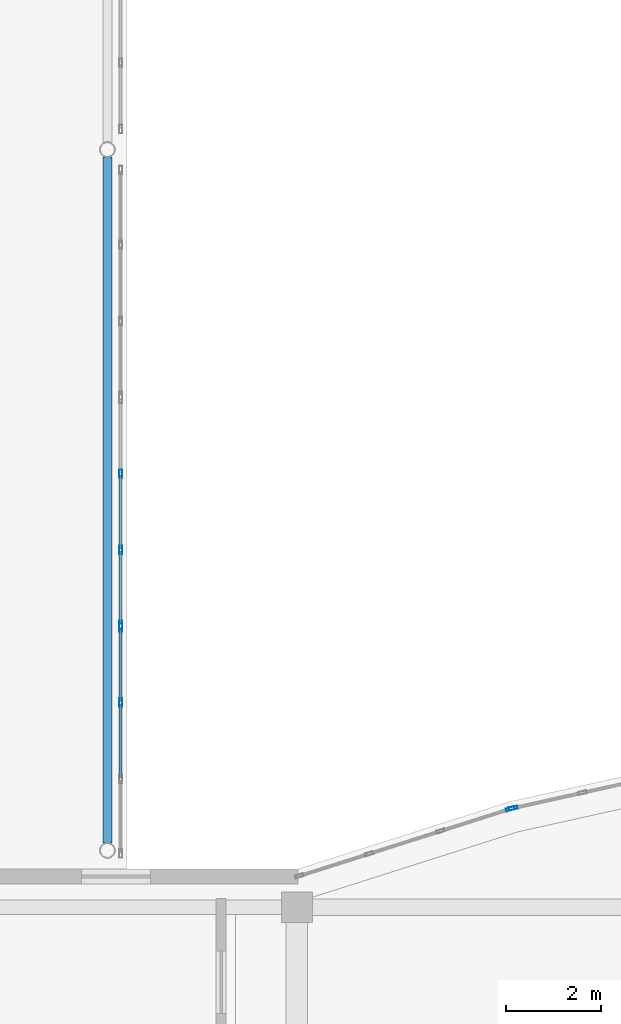
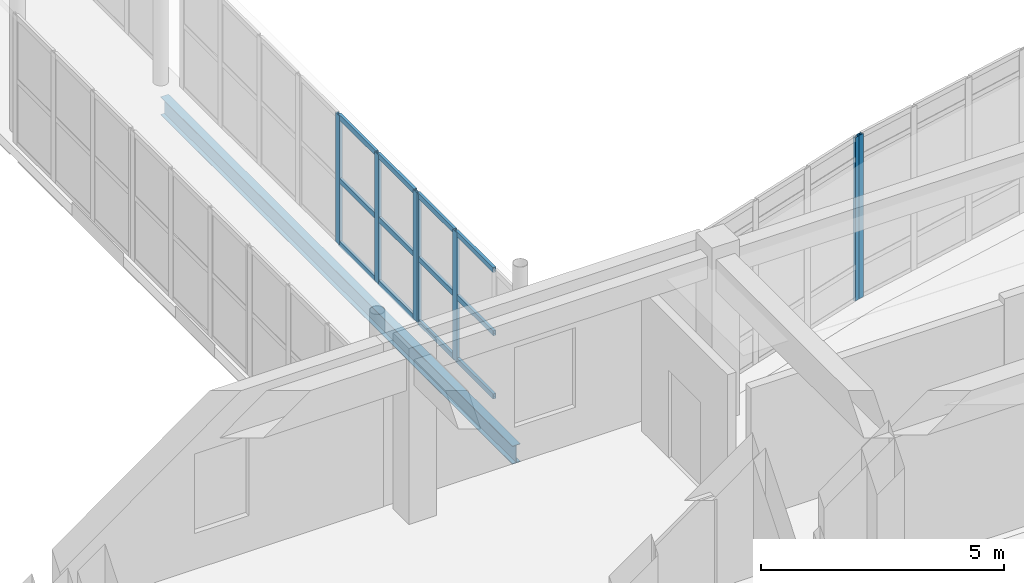
# One storey, part 44 of 142: 19 members, 1 beam, 4 elements without a shape of their own.
"""IFC4 building model written with IfcOpenShell, lengths in metres."""

from ifc_helpers import new_model, si_unit, direction, frame, origin, origin_2d, place, context, subcontext, project, spatial, hollow_rectangle, i_section, extrude, material, layer, layer_set, material_profile, profile_set, type_object, element, aggregate, save


model = new_model("IFC4")

# Units and contexts
model_context = context("Model", 3, precision=1e-05, world=origin(), true_north=direction((0.0, 1.0)))
body_context = subcontext(model_context, "Body", "Model", "MODEL_VIEW")
ifc_project = project(units=[si_unit("LENGTHUNIT", "METRE"), si_unit("AREAUNIT", "SQUARE_METRE"), si_unit("VOLUMEUNIT", "CUBIC_METRE"), si_unit("PLANEANGLEUNIT", "RADIAN"), si_unit("MASSUNIT", "GRAM", prefix="KILO")], contexts=[model_context])

# Site, building, storey
site_placement = place(None, origin())
site = spatial("IfcSite", under=ifc_project, at=site_placement, CompositionType="ELEMENT")
building_placement = place(site_placement, origin())
building = spatial("IfcBuilding", under=site, at=building_placement, Name="Valcora Specialist Clinic", CompositionType="ELEMENT")
storey_placement = place(building_placement, frame((0.0, 0.0, 5.10009765625)))
storey = spatial("IfcBuildingStorey", under=building, at=storey_placement, Name="L01", CompositionType="ELEMENT", Elevation=5.10009765625)

# Beam
ifc_material_1 = material(Name="Steel ASTM A992 Grade 50", Category="steel")
ifc_material_profile_1 = material_profile(ifc_material_1, i_section(OverallWidth=0.18994140625, OverallDepth=0.45703125, WebThickness=0.009033203125, FlangeThickness=0.014892578125, at=origin_2d()), Name="ST-IR-460X190")
ifc_profile_set_1 = profile_set([ifc_material_profile_1], Name="Steel ASTM A992 Grade 50")
beam_type = type_object("IfcBeamType", Name="TY-BG-IR460", PredefinedType="HOLLOWCORE", material=ifc_profile_set_1)
beam_placement = place(storey_placement, frame((65.0, 23.360107421875, -0.482666015625), z_axis=(0.0, 1.0, 0.0), x_axis=(-1.0, 0.0, 0.0)))
element("IfcBeam", 1, at=beam_placement, inside=storey, type_object=beam_type, Name="Bridge girder BM-L01-1621", PredefinedType="HOLLOWCORE", context=body_context, shape_type="SweptSolid", body=[
    extrude(i_section(OverallWidth=0.18994140625, OverallDepth=0.45703125, WebThickness=0.009033203125, FlangeThickness=0.014892578125, at=origin_2d()), origin(), (0.0, 0.0, 1.0), 14.47998046875),
])

# Curtain wall, member
ifc_material_2 = material(Name="Anodized Bronze Aluminium 6063-T6", Category="aluminium")
ifc_layer_1 = layer(ifc_material_2, 0.175048828125)
ifc_layer_set_1 = layer_set([ifc_layer_1], Name="Anodized Bronze Aluminium 6063-T6")
curtain_wall_type_1 = type_object("IfcCurtainWallType", Name="TY-CW-ARC44", PredefinedType="NOTDEFINED", material=ifc_layer_set_1)
curtain_wall_1_placement = place(storey_placement, origin())
curtain_wall_1 = element("IfcCurtainWall", 2, at=curtain_wall_1_placement, inside=storey, type_object=curtain_wall_type_1, Name="Curtain wall CW-L01-194", PredefinedType="NOTDEFINED")
ifc_material_profile_2 = material_profile(ifc_material_2, hollow_rectangle(XDim=0.06494140625, YDim=0.175048828125, WallThickness=0.00390625, at=origin_2d()), Name="AL-MUL-65X175")
ifc_profile_set_2 = profile_set([ifc_material_profile_2], Name="Anodized Bronze Aluminium 6063-T6")
member_type_1 = type_object("IfcMemberType", Name="TY-CWM-65X175", PredefinedType="MULLION", material=ifc_profile_set_2)
member_1_placement = place(storey_placement, frame((73.508056640625, 24.0771484375, 0.0), z_axis=(0.0, 0.0, 1.0), x_axis=(-0.303233270958, 0.952916356972, 0.0)))
member_1 = element("IfcMember", 3, at=member_1_placement, type_object=member_type_1, Name="CW-ARC-44 mullion 4", PredefinedType="MULLION", context=body_context, shape_type="SweptSolid", body=[
    extrude(hollow_rectangle(XDim=0.06494140625, YDim=0.175048828125, WallThickness=0.00390625, at=origin_2d()), origin(), (0.0, 0.0, 1.0), 4.10498046875),
])
aggregate(curtain_wall_1, [member_1])

curtain_wall_2_placement = place(storey_placement, origin())
curtain_wall_2 = element("IfcCurtainWall", 4, at=curtain_wall_2_placement, inside=storey, type_object=curtain_wall_type_1, Name="Curtain wall CW-L01-195", PredefinedType="NOTDEFINED")
member_2_placement = place(storey_placement, frame((73.57080078125, 24.093994140625, 0.0), z_axis=(0.0, 0.0, 1.0), x_axis=(-0.216518052372, 0.976278614432, 0.0)))
member_2 = element("IfcMember", 5, at=member_2_placement, type_object=member_type_1, Name="CW-ARC-44 mullion 1", PredefinedType="MULLION", context=body_context, shape_type="SweptSolid", body=[
    extrude(hollow_rectangle(XDim=0.06494140625, YDim=0.175048828125, WallThickness=0.00390625, at=origin_2d()), origin(), (0.0, 0.0, 1.0), 4.10498046875),
])
aggregate(curtain_wall_2, [member_2])

# Curtain wall, members
ifc_layer_2 = layer(ifc_material_2, 0.175048828125)
ifc_layer_set_2 = layer_set([ifc_layer_2], Name="Anodized Bronze Aluminium 6063-T6")
curtain_wall_type_2 = type_object("IfcCurtainWallType", Name="TY-CW-BRG14", PredefinedType="NOTDEFINED", material=ifc_layer_set_2)
curtain_wall_3_placement = place(storey_placement, origin())
curtain_wall_3 = element("IfcCurtainWall", 6, at=curtain_wall_3_placement, inside=storey, type_object=curtain_wall_type_2, Name="Curtain wall CW-L01-240", PredefinedType="NOTDEFINED")
member_3_placement = place(storey_placement, frame((65.280029296875, 26.322265625, 0.0), z_axis=(0.0, 0.0, 1.0), x_axis=(-1.0, 0.0, 0.0)))
member_3 = element("IfcMember", 7, at=member_3_placement, type_object=member_type_1, Name="CW-BRG-14 mullion 3", PredefinedType="MULLION", context=body_context, shape_type="SweptSolid", body=[
    extrude(hollow_rectangle(XDim=0.06494140625, YDim=0.175048828125, WallThickness=0.00390625, at=origin_2d()), origin(), (0.0, 0.0, 1.0), 3.239990234375),
])
member_4_placement = place(storey_placement, frame((65.280029296875, 27.90087890625, 0.0), z_axis=(0.0, 0.0, 1.0), x_axis=(-1.0, 0.0, 0.0)))
member_4 = element("IfcMember", 8, at=member_4_placement, type_object=member_type_1, Name="CW-BRG-14 mullion 4", PredefinedType="MULLION", context=body_context, shape_type="SweptSolid", body=[
    extrude(hollow_rectangle(XDim=0.06494140625, YDim=0.175048828125, WallThickness=0.00390625, at=origin_2d()), origin(), (0.0, 0.0, 1.0), 3.239990234375),
])

curtain_wall_4_placement = place(storey_placement, origin())
curtain_wall_4 = element("IfcCurtainWall", 9, at=curtain_wall_4_placement, inside=storey, type_object=curtain_wall_type_2, Name="Curtain wall CW-L01-241", PredefinedType="NOTDEFINED")
member_5_placement = place(storey_placement, frame((65.280029296875, 27.9658203125, 0.0), z_axis=(0.0, 0.0, 1.0), x_axis=(-1.0, 0.0, 0.0)))
member_5 = element("IfcMember", 10, at=member_5_placement, type_object=member_type_1, Name="CW-BRG-14 mullion 1", PredefinedType="MULLION", context=body_context, shape_type="SweptSolid", body=[
    extrude(hollow_rectangle(XDim=0.06494140625, YDim=0.175048828125, WallThickness=0.00390625, at=origin_2d()), origin(), (0.0, 0.0, 1.0), 3.239990234375),
])
member_6_placement = place(storey_placement, frame((65.280029296875, 29.54443359375, 0.0), z_axis=(0.0, 0.0, 1.0), x_axis=(-1.0, 0.0, 0.0)))
member_6 = element("IfcMember", 11, at=member_6_placement, type_object=member_type_1, Name="CW-BRG-14 mullion 2", PredefinedType="MULLION", context=body_context, shape_type="SweptSolid", body=[
    extrude(hollow_rectangle(XDim=0.06494140625, YDim=0.175048828125, WallThickness=0.00390625, at=origin_2d()), origin(), (0.0, 0.0, 1.0), 3.239990234375),
])
member_7_placement = place(storey_placement, frame((65.280029296875, 31.155517578125, 0.0), z_axis=(0.0, 0.0, 1.0), x_axis=(-1.0, 0.0, 0.0)))
member_7 = element("IfcMember", 12, at=member_7_placement, type_object=member_type_1, Name="CW-BRG-14 mullion 3", PredefinedType="MULLION", context=body_context, shape_type="SweptSolid", body=[
    extrude(hollow_rectangle(XDim=0.06494140625, YDim=0.175048828125, WallThickness=0.00390625, at=origin_2d()), origin(), (0.0, 0.0, 1.0), 3.239990234375),
])

# Member
ifc_material_profile_3 = material_profile(ifc_material_2, hollow_rectangle(XDim=0.06494140625, YDim=0.1298828125, WallThickness=0.00390625, at=origin_2d()), Name="AL-TRN-65X130")
ifc_profile_set_3 = profile_set([ifc_material_profile_3], Name="Anodized Bronze Aluminium 6063-T6")
member_type_2 = type_object("IfcMemberType", Name="TY-CWT-65X130", PredefinedType="USERDEFINED", material=ifc_profile_set_3)
member_8_placement = place(storey_placement, frame((65.280029296875, 24.74365234375, 0.032470703125), z_axis=(0.0, 1.0, 0.0), x_axis=(-1.0, 0.0, 0.0)))
member_8 = element("IfcMember", 13, at=member_8_placement, type_object=member_type_2, Name="CW-BRG-14 transom 2.1", ObjectType="TRANSOM", PredefinedType="USERDEFINED", context=body_context, shape_type="SweptSolid", body=[
    extrude(hollow_rectangle(XDim=0.06494140625, YDim=0.1298828125, WallThickness=0.00390625, at=origin_2d()), origin(), (0.0, 0.0, 1.0), 1.546142578125),
])

member_9_placement = place(storey_placement, frame((65.280029296875, 24.74365234375, 1.619873046875), z_axis=(0.0, 1.0, 0.0), x_axis=(-1.0, 0.0, 0.0)))
member_9 = element("IfcMember", 14, at=member_9_placement, type_object=member_type_2, Name="CW-BRG-14 transom 2.2", ObjectType="TRANSOM", PredefinedType="USERDEFINED", context=body_context, shape_type="SweptSolid", body=[
    extrude(hollow_rectangle(XDim=0.06494140625, YDim=0.1298828125, WallThickness=0.00390625, at=origin_2d()), origin(), (0.0, 0.0, 1.0), 1.546142578125),
])

member_10_placement = place(storey_placement, frame((65.280029296875, 24.74365234375, 3.20751953125), z_axis=(0.0, 1.0, 0.0), x_axis=(-1.0, 0.0, 0.0)))
member_10 = element("IfcMember", 15, at=member_10_placement, type_object=member_type_2, Name="CW-BRG-14 transom 2.3", ObjectType="TRANSOM", PredefinedType="USERDEFINED", context=body_context, shape_type="SweptSolid", body=[
    extrude(hollow_rectangle(XDim=0.06494140625, YDim=0.1298828125, WallThickness=0.00390625, at=origin_2d()), origin(), (0.0, 0.0, 1.0), 1.546142578125),
])

member_11_placement = place(storey_placement, frame((65.280029296875, 26.354736328125, 0.032470703125), z_axis=(0.0, 1.0, 0.0), x_axis=(-1.0, 0.0, 0.0)))
member_11 = element("IfcMember", 16, at=member_11_placement, type_object=member_type_2, Name="CW-BRG-14 transom 3.1", ObjectType="TRANSOM", PredefinedType="USERDEFINED", context=body_context, shape_type="SweptSolid", body=[
    extrude(hollow_rectangle(XDim=0.06494140625, YDim=0.1298828125, WallThickness=0.00390625, at=origin_2d()), origin(), (0.0, 0.0, 1.0), 1.513671875),
])

member_12_placement = place(storey_placement, frame((65.280029296875, 26.354736328125, 1.619873046875), z_axis=(0.0, 1.0, 0.0), x_axis=(-1.0, 0.0, 0.0)))
member_12 = element("IfcMember", 17, at=member_12_placement, type_object=member_type_2, Name="CW-BRG-14 transom 3.2", ObjectType="TRANSOM", PredefinedType="USERDEFINED", context=body_context, shape_type="SweptSolid", body=[
    extrude(hollow_rectangle(XDim=0.06494140625, YDim=0.1298828125, WallThickness=0.00390625, at=origin_2d()), origin(), (0.0, 0.0, 1.0), 1.513671875),
])

member_13_placement = place(storey_placement, frame((65.280029296875, 26.354736328125, 3.20751953125), z_axis=(0.0, 1.0, 0.0), x_axis=(-1.0, 0.0, 0.0)))
member_13 = element("IfcMember", 18, at=member_13_placement, type_object=member_type_2, Name="CW-BRG-14 transom 3.3", ObjectType="TRANSOM", PredefinedType="USERDEFINED", context=body_context, shape_type="SweptSolid", body=[
    extrude(hollow_rectangle(XDim=0.06494140625, YDim=0.1298828125, WallThickness=0.00390625, at=origin_2d()), origin(), (0.0, 0.0, 1.0), 1.513671875),
])

aggregate(curtain_wall_3, [member_3, member_4, member_8, member_9, member_10, member_11, member_12, member_13])

member_14_placement = place(storey_placement, frame((65.280029296875, 27.998291015625, 0.032470703125), z_axis=(0.0, 1.0, 0.0), x_axis=(-1.0, 0.0, 0.0)))
member_14 = element("IfcMember", 19, at=member_14_placement, type_object=member_type_2, Name="CW-BRG-14 transom 1.1", ObjectType="TRANSOM", PredefinedType="USERDEFINED", context=body_context, shape_type="SweptSolid", body=[
    extrude(hollow_rectangle(XDim=0.06494140625, YDim=0.1298828125, WallThickness=0.00390625, at=origin_2d()), origin(), (0.0, 0.0, 1.0), 1.513671875),
])

member_15_placement = place(storey_placement, frame((65.280029296875, 27.998291015625, 1.619873046875), z_axis=(0.0, 1.0, 0.0), x_axis=(-1.0, 0.0, 0.0)))
member_15 = element("IfcMember", 20, at=member_15_placement, type_object=member_type_2, Name="CW-BRG-14 transom 1.2", ObjectType="TRANSOM", PredefinedType="USERDEFINED", context=body_context, shape_type="SweptSolid", body=[
    extrude(hollow_rectangle(XDim=0.06494140625, YDim=0.1298828125, WallThickness=0.00390625, at=origin_2d()), origin(), (0.0, 0.0, 1.0), 1.513671875),
])

member_16_placement = place(storey_placement, frame((65.280029296875, 27.998291015625, 3.20751953125), z_axis=(0.0, 1.0, 0.0), x_axis=(-1.0, 0.0, 0.0)))
member_16 = element("IfcMember", 21, at=member_16_placement, type_object=member_type_2, Name="CW-BRG-14 transom 1.3", ObjectType="TRANSOM", PredefinedType="USERDEFINED", context=body_context, shape_type="SweptSolid", body=[
    extrude(hollow_rectangle(XDim=0.06494140625, YDim=0.1298828125, WallThickness=0.00390625, at=origin_2d()), origin(), (0.0, 0.0, 1.0), 1.513671875),
])

member_17_placement = place(storey_placement, frame((65.280029296875, 29.576904296875, 0.032470703125), z_axis=(0.0, 1.0, 0.0), x_axis=(-1.0, 0.0, 0.0)))
member_17 = element("IfcMember", 22, at=member_17_placement, type_object=member_type_2, Name="CW-BRG-14 transom 2.1", ObjectType="TRANSOM", PredefinedType="USERDEFINED", context=body_context, shape_type="SweptSolid", body=[
    extrude(hollow_rectangle(XDim=0.06494140625, YDim=0.1298828125, WallThickness=0.00390625, at=origin_2d()), origin(), (0.0, 0.0, 1.0), 1.546142578125),
])

member_18_placement = place(storey_placement, frame((65.280029296875, 29.576904296875, 1.619873046875), z_axis=(0.0, 1.0, 0.0), x_axis=(-1.0, 0.0, 0.0)))
member_18 = element("IfcMember", 23, at=member_18_placement, type_object=member_type_2, Name="CW-BRG-14 transom 2.2", ObjectType="TRANSOM", PredefinedType="USERDEFINED", context=body_context, shape_type="SweptSolid", body=[
    extrude(hollow_rectangle(XDim=0.06494140625, YDim=0.1298828125, WallThickness=0.00390625, at=origin_2d()), origin(), (0.0, 0.0, 1.0), 1.546142578125),
])

member_19_placement = place(storey_placement, frame((65.280029296875, 29.576904296875, 3.20751953125), z_axis=(0.0, 1.0, 0.0), x_axis=(-1.0, 0.0, 0.0)))
member_19 = element("IfcMember", 24, at=member_19_placement, type_object=member_type_2, Name="CW-BRG-14 transom 2.3", ObjectType="TRANSOM", PredefinedType="USERDEFINED", context=body_context, shape_type="SweptSolid", body=[
    extrude(hollow_rectangle(XDim=0.06494140625, YDim=0.1298828125, WallThickness=0.00390625, at=origin_2d()), origin(), (0.0, 0.0, 1.0), 1.546142578125),
])

aggregate(curtain_wall_4, [member_5, member_6, member_7, member_14, member_15, member_16, member_17, member_18, member_19])

save(model, "model.ifc")
